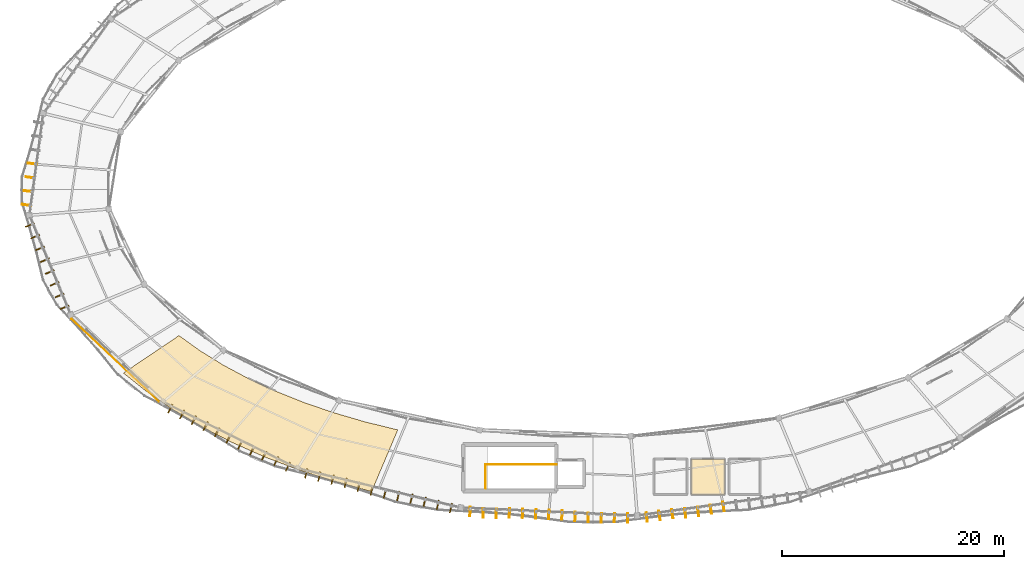
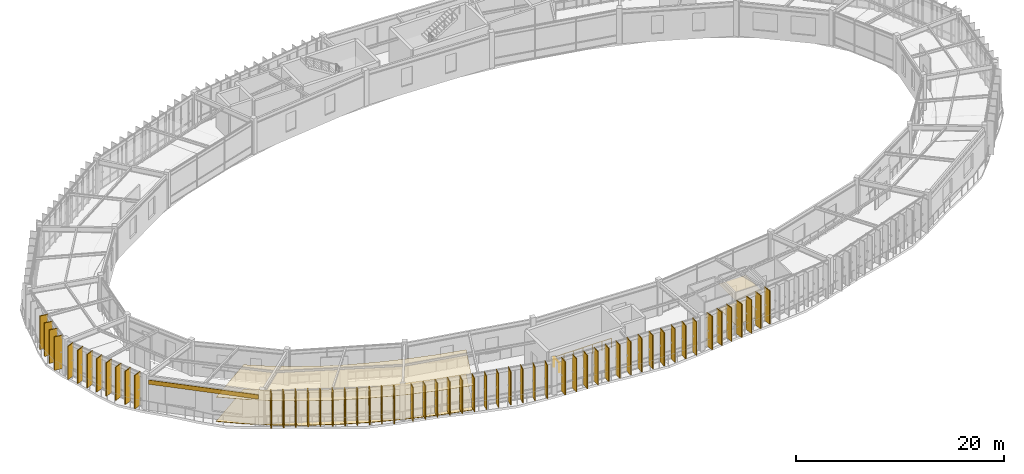
# One storey, part 75 of 78: 55 shading devices, 5 coverings, 2 railings.
"""IFC4 building model written with IfcOpenShell, lengths in metres."""

import ifcopenshell
import ifcopenshell.guid

model = None  # the IFC model being written
_history = None  # IfcOwnerHistory: only IFC2X3 demands one
_inside = {}  # id of a spatial element -> (the spatial element, [elements in it])
_under = {}  # id of a project, library or spatial element -> (it, [spatial elements below it])
_declared = {}  # id of a project -> (the project, [libraries it declares])
_typed = {}  # id of a type object -> (the type object, [elements of that type])
_made_of = {}  # id of a material, layer set ... -> (it, [elements and type objects made of it])


def new_model(schema):
    """Start an empty IFC model of exactly this schema.

    Asked for "IFC4X3", IfcOpenShell would pick the latest addendum, in which some entities
    have other attributes; the version numbers below select the first issue.
    IFC2X3 requires an IfcOwnerHistory on every rooted entity: one is made here for all.
    """
    global model, _history
    if schema == "IFC4X3":
        model = ifcopenshell.file(schema_version=(4, 3, 0, 0))
    else:
        model = ifcopenshell.file(schema=schema)
    _inside.clear()
    _under.clear()
    _declared.clear()
    _typed.clear()
    _made_of.clear()
    _history = None
    if model.schema == "IFC2X3":
        org = make("IfcOrganization", Name="unknown")
        user = make(
            "IfcPersonAndOrganization",
            ThePerson=make("IfcPerson", FamilyName="unknown"),
            TheOrganization=org,
        )
        app = make(
            "IfcApplication",
            ApplicationDeveloper=org,
            Version="unknown",
            ApplicationFullName="unknown",
            ApplicationIdentifier="unknown",
        )
        _history = make(
            "IfcOwnerHistory",
            OwningUser=user,
            OwningApplication=app,
            ChangeAction="ADDED",
            CreationDate=0,
        )
    return model


def make(cls, **values):
    """One entity of the class cls with the attributes given. An attribute that is None is left unset."""
    return model.create_entity(
        cls, **{name: value for name, value in values.items() if value is not None}
    )


def rooted(cls, **values):
    """An entity with a GlobalId (a new one), such as an element, a storey or a relation."""
    return make(cls, GlobalId=ifcopenshell.guid.new(), OwnerHistory=_history, **values)


def si_unit(unit_type, name, prefix=None):
    """IfcSIUnit, for example si_unit("LENGTHUNIT", "METRE", prefix="MILLI")."""
    return make("IfcSIUnit", UnitType=unit_type, Prefix=prefix, Name=name)


def assignment(units):
    """IfcUnitAssignment: the units of a project."""
    return None if units is None else make("IfcUnitAssignment", Units=units)


def point(xyz):
    """IfcCartesianPoint."""
    return None if xyz is None else make("IfcCartesianPoint", Coordinates=xyz)


def direction(xyz):
    """IfcDirection."""
    return None if xyz is None else make("IfcDirection", DirectionRatios=xyz)


def frame(location, z_axis=None, x_axis=None):
    """IfcAxis2Placement3D, a coordinate frame: its origin and axes. An axis left out is left unset."""
    return make(
        "IfcAxis2Placement3D",
        Location=point(location),
        Axis=direction(z_axis),
        RefDirection=direction(x_axis),
    )


def frame_2d(location, x_axis=None):
    """IfcAxis2Placement2D, a coordinate frame in the plane: its origin and x axis."""
    return make(
        "IfcAxis2Placement2D", Location=point(location), RefDirection=direction(x_axis)
    )


def origin():
    """The frame at (0, 0, 0) with its axes left unset."""
    return frame((0.0, 0.0, 0.0))


def origin_2d():
    """The frame at (0, 0) in the plane with its x axis left unset."""
    return frame_2d((0.0, 0.0))


def place(relative_to, where):
    """IfcLocalPlacement: puts the frame where relative to a parent placement (None: the world)."""
    return make(
        "IfcLocalPlacement", PlacementRelTo=relative_to, RelativePlacement=where
    )


def context(
    kind, dimensions, precision=None, world=None, true_north=None, identifier=None
):
    """IfcGeometricRepresentationContext, for example the 3D "Model" context."""
    return make(
        "IfcGeometricRepresentationContext",
        ContextIdentifier=identifier,
        ContextType=kind,
        CoordinateSpaceDimension=dimensions,
        Precision=precision,
        WorldCoordinateSystem=world,
        TrueNorth=true_north,
    )


def subcontext(parent, identifier, kind, view, scale=None):
    """IfcGeometricRepresentationSubContext, for example "Body" below "Model"."""
    return make(
        "IfcGeometricRepresentationSubContext",
        ContextIdentifier=identifier,
        ContextType=kind,
        ParentContext=parent,
        TargetScale=scale,
        TargetView=view,
    )


def project(units=None, contexts=None):
    """IfcProject with its units and contexts."""
    return rooted(
        "IfcProject",
        Name="project",
        RepresentationContexts=contexts,
        UnitsInContext=assignment(units),
    )


def spatial(cls, under=None, at=None, **own):
    """A site, building, storey or space (cls), placed at a placement, below another one or the project."""
    s = rooted(cls, ObjectPlacement=at, **own)
    if under is not None:
        _under.setdefault(under.id(), (under, []))[1].append(s)
    return s


def polyline(points):
    """IfcPolyline through the points."""
    return make("IfcPolyline", Points=[point(p) for p in points])


def profile(cls, at=None, kind="AREA", **sizes):
    """A parametric profile (cls). Its sizes go by their IFC names, for example OverallWidth=200.0."""
    return make(cls, ProfileType=kind, Position=at, **sizes)


def rectangle(**sizes):
    """IfcRectangleProfileDef."""
    return profile("IfcRectangleProfileDef", **sizes)


def circle(**sizes):
    """IfcCircleProfileDef."""
    return profile("IfcCircleProfileDef", **sizes)


def outline(outer, holes=None, kind="AREA"):
    """IfcArbitraryClosedProfileDef: a profile drawn as a closed curve; with holes, ...WithVoids."""
    if holes is None:
        return make("IfcArbitraryClosedProfileDef", ProfileType=kind, OuterCurve=outer)
    return make(
        "IfcArbitraryProfileDefWithVoids",
        ProfileType=kind,
        OuterCurve=outer,
        InnerCurves=holes,
    )


def extrude(swept, where, along, depth):
    """IfcExtrudedAreaSolid: the profile swept, set in the frame where, extruded along a direction by depth."""
    return make(
        "IfcExtrudedAreaSolid",
        SweptArea=swept,
        Position=where,
        ExtrudedDirection=direction(along),
        Depth=depth,
    )


def shape(context_of_items, identifier, shape_type, items):
    """IfcShapeRepresentation: the items that make up one representation, for example the "Body"."""
    return make(
        "IfcShapeRepresentation",
        ContextOfItems=context_of_items,
        RepresentationIdentifier=identifier,
        RepresentationType=shape_type,
        Items=items,
    )


def material(Name=None, Category=None):
    """IfcMaterial."""
    return make("IfcMaterial", Name=Name, Category=Category)


def layer(
    of_material, thickness, ventilated=None, Name=None, Category=None, Priority=None
):
    """IfcMaterialLayer: one layer of a wall or slab, of a material (None: an air gap)."""
    return make(
        "IfcMaterialLayer",
        Material=of_material,
        LayerThickness=thickness,
        IsVentilated=ventilated,
        Name=Name,
        Category=Category,
        Priority=Priority,
    )


def layer_set(layers, Name=None):
    """IfcMaterialLayerSet."""
    return make("IfcMaterialLayerSet", MaterialLayers=layers, LayerSetName=Name)


def made_of(thing, what):
    """Note that an element or type object is made of a material, layer set ...; save() writes the relation."""
    if what is not None:
        _made_of.setdefault(what.id(), (what, []))[1].append(thing)
    return thing


def type_object(cls, material=None, **own):
    """A type object (cls), such as IfcWallType, which elements share."""
    return made_of(rooted(cls, **own), material)


def element(
    cls,
    number,
    at=None,
    inside=None,
    cuts=None,
    type_object=None,
    material=None,
    context=None,
    identifier="Body",
    shape_type=None,
    held_by="IfcProductDefinitionShape",
    body=None,
    shapes=None,
    **own,
):
    """One element of the class cls, such as IfcWall. Its Tag is "e" and its number.

    at: its placement. inside: the storey or other place that contains it. cuts: it is an
    opening in that element (IfcRelVoidsElement). A single representation is given by context,
    identifier, shape_type and body (its items); several are given by shapes. held_by: the class
    of the entity that holds the representations. save() writes the other relations.
    """
    e = rooted(cls, Tag="e%d" % number, ObjectPlacement=at, **own)
    if body is not None:
        shapes = [shape(context, identifier, shape_type, body)]
    if shapes is not None:
        e.Representation = make(held_by, Representations=shapes)
    if inside is not None:
        _inside.setdefault(inside.id(), (inside, []))[1].append(e)
    if cuts is not None:
        rooted(
            "IfcRelVoidsElement", RelatingBuildingElement=cuts, RelatedOpeningElement=e
        )
    if type_object is not None:
        _typed.setdefault(type_object.id(), (type_object, []))[1].append(e)
    return made_of(e, material)


def aggregate(whole, parts):
    """IfcRelAggregates: a whole, such as a stair, and the parts it consists of."""
    return rooted("IfcRelAggregates", RelatingObject=whole, RelatedObjects=parts)


def save(model, path):
    """Write the relations noted so far, then the file.

    IfcRelAggregates (storeys below a building ...), IfcRelContainedInSpatialStructure (elements
    in a storey), IfcRelDefinesByType, IfcRelAssociatesMaterial and IfcRelDeclares: one each for
    every whole, place, type object, material and project.
    """
    for whole, parts in _under.values():
        aggregate(whole, parts)
    for where, things in _inside.values():
        rooted(
            "IfcRelContainedInSpatialStructure",
            RelatedElements=things,
            RelatingStructure=where,
        )
    for kind, things in _typed.values():
        rooted("IfcRelDefinesByType", RelatedObjects=things, RelatingType=kind)
    for what, things in _made_of.values():
        rooted("IfcRelAssociatesMaterial", RelatedObjects=things, RelatingMaterial=what)
    for by, libraries in _declared.values():
        rooted("IfcRelDeclares", RelatingContext=by, RelatedDefinitions=libraries)
    model.write(path)


model = new_model("IFC4")

# Units and contexts
model_context = context("Model", 3, precision=1e-05, world=origin(), true_north=direction((0.0, 1.0)))
body_context = subcontext(model_context, "Body", "Model", "MODEL_VIEW")
ifc_project = project(units=[si_unit("LENGTHUNIT", "METRE"), si_unit("AREAUNIT", "SQUARE_METRE"), si_unit("VOLUMEUNIT", "CUBIC_METRE"), si_unit("PLANEANGLEUNIT", "RADIAN"), si_unit("MASSUNIT", "GRAM", prefix="KILO"), si_unit("THERMODYNAMICTEMPERATUREUNIT", "KELVIN"), si_unit("POWERUNIT", "WATT")], contexts=[model_context])

# Site, building, storey
site_placement = place(None, origin())
site = spatial("IfcSite", under=ifc_project, at=site_placement, CompositionType="ELEMENT")
building_placement = place(site_placement, origin())
building = spatial("IfcBuilding", under=site, at=building_placement, Name="Darbajah Civic Hall", CompositionType="ELEMENT")
storey_placement = place(building_placement, frame((0.0, 0.0, 26.39990234375)))
storey = spatial("IfcBuildingStorey", under=building, at=storey_placement, Name="L06", CompositionType="ELEMENT", Elevation=26.39990234375)

# Coverings
ifc_material_1 = material(Name="Honed Qatari Limestone Terrazzo", Category="masonry")
ifc_layer_1 = layer(ifc_material_1, 0.030029296875, Name="Honed Qatari Limestone Terrazzo")
ifc_layer_set_1 = layer_set([ifc_layer_1], Name="Honed Qatari Limestone Terrazzo")
covering_type_1 = type_object("IfcCoveringType", Name="Honed Qatari Limestone Terrazzo Flooring", PredefinedType="FLOORING", material=ifc_layer_set_1)
covering_1_placement = place(storey_placement, origin())
element("IfcCovering", 1, at=covering_1_placement, inside=storey, type_object=covering_type_1, Name="L06 stone terrazzo flooring L06-V1-06", PredefinedType="FLOORING", context=body_context, shape_type="SweptSolid", body=[
    extrude(outline(polyline([(46.736083984375, 73.247802734375), (48.9013671875, 71.525634765625), (51.27490234375, 69.89794921875), (53.84423828125, 68.373291015625), (56.596435546875, 66.9599609375), (59.516845703125, 65.664794921875), (62.5908203125, 64.49462890625), (65.8017578125, 63.45556640625), (69.133544921875, 62.552978515625), (71.49755859375, 68.1220703125), (68.560302734375, 68.840087890625), (65.729248046875, 69.666748046875), (63.019287109375, 70.597900390625), (60.444580078125, 71.628173828125), (58.018310546875, 72.752685546875), (55.753173828125, 73.9658203125), (53.66064453125, 75.2607421875), (51.751953125, 76.631103515625), (46.736083984375, 73.247802734375)])), origin(), (0.0, 0.0, 1.0), 0.030029296875),
])
covering_2_placement = place(storey_placement, origin())
element("IfcCovering", 2, at=covering_2_placement, inside=storey, type_object=covering_type_1, Name="L06 stone terrazzo flooring L06-WCF", PredefinedType="FLOORING", context=body_context, shape_type="SweptSolid", body=[
    extrude(outline(polyline([(98.0, 62.300048828125), (101.0, 62.300048828125), (101.0, 65.5), (98.0, 65.5), (98.0, 62.300048828125)])), origin(), (0.0, 0.0, 1.0), 0.030029296875),
])

# Railings
ifc_material_2 = material(Name="Brushed Bronze and Laminated Safety Glass", Category="glass")
railing_type = type_object("IfcRailingType", Name="Interior Guard Balustrade", PredefinedType="BALUSTRADE", material=ifc_material_2)
railing_1_placement = place(storey_placement, frame((79.429931640625, 62.85009765625, 0.0)))
element("IfcRailing", 3, at=railing_1_placement, inside=storey, type_object=railing_type, Name="ST03 L06 stair-well edge guard", PredefinedType="BALUSTRADE", context=body_context, shape_type="SweptSolid", body=[
    extrude(circle(Radius=0.02392578125, at=origin_2d()), frame((0.0, 0.02734375, 1.09619140625), z_axis=(0.0, 1.0, 0.0), x_axis=(-1.0, 0.0, 0.0)), (0.0, 0.0, 1.0), 2.09521484375),
    extrude(circle(Radius=0.02099609375, at=origin_2d()), origin(), (0.0, 0.0, 1.0), 1.068115234375),
    extrude(circle(Radius=0.02099609375, at=origin_2d()), frame((0.0, 1.074951171875, 0.0)), (0.0, 0.0, 1.0), 1.068115234375),
    extrude(circle(Radius=0.02099609375, at=origin_2d()), frame((0.0, 2.14990234375, 0.0)), (0.0, 0.0, 1.0), 1.068115234375),
])
railing_2_placement = place(storey_placement, frame((79.47998046875, 65.0, 0.0)))
element("IfcRailing", 4, at=railing_2_placement, inside=storey, type_object=railing_type, Name="ST03 L06 top landing guard", PredefinedType="BALUSTRADE", context=body_context, shape_type="SweptSolid", body=[
    extrude(circle(Radius=0.02392578125, at=origin_2d()), frame((0.02734375, 0.0, 1.09619140625), z_axis=(1.0, 0.0, 0.0), x_axis=(0.0, 1.0, 0.0)), (0.0, 0.0, 1.0), 6.265380859375),
    extrude(circle(Radius=0.02099609375, at=origin_2d()), origin(), (0.0, 0.0, 1.0), 1.068115234375),
    extrude(circle(Radius=0.02099609375, at=origin_2d()), frame((1.05322265625, 0.0, 0.0)), (0.0, 0.0, 1.0), 1.068115234375),
    extrude(circle(Radius=0.02099609375, at=origin_2d()), frame((2.106689453125, 0.0, 0.0)), (0.0, 0.0, 1.0), 1.068115234375),
    extrude(circle(Radius=0.02099609375, at=origin_2d()), frame((3.16015625, 0.0, 0.0)), (0.0, 0.0, 1.0), 1.068115234375),
    extrude(circle(Radius=0.02099609375, at=origin_2d()), frame((4.21337890625, 0.0, 0.0)), (0.0, 0.0, 1.0), 1.068115234375),
    extrude(circle(Radius=0.02099609375, at=origin_2d()), frame((5.2666015625, 0.0, 0.0)), (0.0, 0.0, 1.0), 1.068115234375),
    extrude(circle(Radius=0.02099609375, at=origin_2d()), frame((6.320068359375, 0.0, 0.0)), (0.0, 0.0, 1.0), 1.068115234375),
])

# Coverings
ifc_material_3 = material(Name="Qatari Desert Limestone Ashlar", Category="masonry")
ifc_layer_2 = layer(ifc_material_3, 0.044921875, Name="Qatari Desert Limestone Ashlar")
ifc_layer_set_2 = layer_set([ifc_layer_2], Name="Qatari Desert Limestone Ashlar")
covering_type_2 = type_object("IfcCoveringType", Name="Limestone Facade Cladding", PredefinedType="CLADDING", material=ifc_layer_set_2)
covering_3_placement = place(storey_placement, frame((0.0, 0.0, 3.070068359375)))
element("IfcCovering", 5, at=covering_3_placement, inside=storey, type_object=covering_type_2, Name="L06 stone frieze cladding EW-V1O-L06-11", PredefinedType="CLADDING", context=body_context, shape_type="SweptSolid", body=[
    extrude(outline(polyline([(42.07958984375, 78.1298828125), (49.973388671875, 70.678955078125), (49.942626953125, 70.646240234375), (42.048828125, 78.09716796875), (42.07958984375, 78.1298828125)])), origin(), (0.0, 0.0, 1.0), 0.5),
])
ifc_material_4 = material(Name="Perforated Acoustic Gypsum Board")
ifc_layer_3 = layer(ifc_material_4, 0.02490234375, Name="Perforated Acoustic Gypsum Board")
ifc_layer_set_3 = layer_set([ifc_layer_3], Name="Perforated Acoustic Gypsum Board")
covering_type_3 = type_object("IfcCoveringType", Name="Perforated Acoustic Gypsum Ceiling", PredefinedType="CEILING", material=ifc_layer_set_3)
covering_4_placement = place(storey_placement, frame((0.0, 0.0, 2.85009765625)))
element("IfcCovering", 6, at=covering_4_placement, inside=storey, type_object=covering_type_3, Name="L06 acoustic suspended ceiling L06-V1-06", PredefinedType="CEILING", context=body_context, shape_type="SweptSolid", body=[
    extrude(outline(polyline([(46.736083984375, 73.247802734375), (48.9013671875, 71.525634765625), (51.27490234375, 69.89794921875), (53.84423828125, 68.373291015625), (56.596435546875, 66.9599609375), (59.516845703125, 65.664794921875), (62.5908203125, 64.49462890625), (65.8017578125, 63.45556640625), (69.133544921875, 62.552978515625), (71.49755859375, 68.1220703125), (68.560302734375, 68.840087890625), (65.729248046875, 69.666748046875), (63.019287109375, 70.597900390625), (60.444580078125, 71.628173828125), (58.018310546875, 72.752685546875), (55.753173828125, 73.9658203125), (53.66064453125, 75.2607421875), (51.751953125, 76.631103515625), (46.736083984375, 73.247802734375)])), origin(), (0.0, 0.0, 1.0), 0.02490234375),
])
covering_5_placement = place(storey_placement, frame((0.0, 0.0, 2.85009765625)))
element("IfcCovering", 7, at=covering_5_placement, inside=storey, type_object=covering_type_3, Name="L06 acoustic suspended ceiling L06-WCF", PredefinedType="CEILING", context=body_context, shape_type="SweptSolid", body=[
    extrude(outline(polyline([(98.0, 62.300048828125), (101.0, 62.300048828125), (101.0, 65.5), (98.0, 65.5), (98.0, 62.300048828125)])), origin(), (0.0, 0.0, 1.0), 0.02490234375),
])

# Shading devices
ifc_material_5 = material(Name="Bronze Anodised Aluminium and Teak Composite", Category="aluminium")
shading_device_type = type_object("IfcShadingDeviceType", Name="Vertical Bronze Timber Shading Fin", PredefinedType="USERDEFINED", material=ifc_material_5)
for number, where, z_axis, x_axis, name in (
    (8, (38.54248046875, 92.13232421875, 0.000244140625), (0.0, 0.0, 1.0), (-0.990865897387, 0.134850930274, 0.0), "L06 vertical shading fin VF-09-4"),
    (9, (38.33251953125, 90.894775390625, 0.000244140625), (0.0, 0.0, 1.0), (-0.990865897387, 0.134850930274, 0.0), "L06 vertical shading fin VF-09-5"),
    (10, (38.152587890625, 89.6533203125, 0.000244140625), (0.0, 0.0, 1.0), (-0.990865897387, 0.134850930274, 0.0), "L06 vertical shading fin VF-09-6"),
    (11, (38.004150390625, 88.4072265625, 0.000244140625), (0.0, 0.0, 1.0), (-0.990865897387, 0.134850930274, 0.0), "L06 vertical shading fin VF-09-7"),
    (12, (38.290771484375, 86.603271484375, 0.000244140625), (0.0, 0.0, 1.0), (-0.923612143954, -0.383328328644, 0.0), "L06 vertical shading fin VF-10-1"),
    (13, (38.771240234375, 85.5556640625, 0.000244140625), (0.0, 0.0, 1.0), (-0.923612143954, -0.383328328644, 0.0), "L06 vertical shading fin VF-10-2"),
    (14, (39.212646484375, 84.4921875, 0.000244140625), (0.0, 0.0, 1.0), (-0.923612143954, -0.383328328644, 0.0), "L06 vertical shading fin VF-10-3"),
    (15, (39.654296875, 83.428466796875, 0.000244140625), (0.0, 0.0, 1.0), (-0.923612143954, -0.383328328644, 0.0), "L06 vertical shading fin VF-10-4"),
    (16, (40.095703125, 82.36474609375, 0.000244140625), (0.0, 0.0, 1.0), (-0.923612143954, -0.383328328644, 0.0), "L06 vertical shading fin VF-10-5"),
    (17, (40.537109375, 81.301025390625, 0.000244140625), (0.0, 0.0, 1.0), (-0.923612143954, -0.383328328644, 0.0), "L06 vertical shading fin VF-10-6"),
    (18, (40.978515625, 80.2373046875, 0.000244140625), (0.0, 0.0, 1.0), (-0.923612143954, -0.383328328644, 0.0), "L06 vertical shading fin VF-10-7"),
    (19, (41.419921875, 79.173583984375, 0.000244140625), (0.0, 0.0, 1.0), (-0.923612143954, -0.383328328644, 0.0), "L06 vertical shading fin VF-10-8"),
    (20, (50.958740234375, 70.02978515625, 0.000244140625), (0.0, 0.0, 1.0), (-0.442914717678, -0.89656374724, 0.0), "L06 vertical shading fin VF-12-1"),
    (21, (52.020751953125, 69.505126953125, 0.000244140625), (0.0, 0.0, 1.0), (-0.442914717678, -0.89656374724, 0.0), "L06 vertical shading fin VF-12-2"),
    (22, (53.082763671875, 68.98046875, 0.000244140625), (0.0, 0.0, 1.0), (-0.442914717678, -0.89656374724, 0.0), "L06 vertical shading fin VF-12-3"),
    (23, (54.144775390625, 68.455810546875, 0.000244140625), (0.0, 0.0, 1.0), (-0.442914717678, -0.89656374724, 0.0), "L06 vertical shading fin VF-12-4"),
    (24, (55.185546875, 67.888427734375, 0.000244140625), (0.0, 0.0, 1.0), (-0.442914717678, -0.89656374724, 0.0), "L06 vertical shading fin VF-12-5"),
    (25, (56.222900390625, 67.314453125, 0.000244140625), (0.0, 0.0, 1.0), (-0.442914717678, -0.89656374724, 0.0), "L06 vertical shading fin VF-12-6"),
    (26, (57.272705078125, 66.76513671875, 0.000244140625), (0.0, 0.0, 1.0), (-0.442914717678, -0.89656374724, 0.0), "L06 vertical shading fin VF-12-7"),
    (27, (58.33935546875, 66.249755859375, 0.000244140625), (0.0, 0.0, 1.0), (-0.442914717678, -0.89656374724, 0.0), "L06 vertical shading fin VF-12-8"),
    (28, (59.422607421875, 65.768310546875, 0.000244140625), (0.0, 0.0, 1.0), (-0.442914717678, -0.89656374724, 0.0), "L06 vertical shading fin VF-12-9"),
    (29, (60.516357421875, 65.30810546875, 0.000244140625), (0.0, 0.0, 1.0), (-0.442914717678, -0.89656374724, 0.0), "L06 vertical shading fin VF-12-10"),
    (30, (61.578369140625, 64.783447265625, 0.000244140625), (0.0, 0.0, 1.0), (-0.442914717678, -0.89656374724, 0.0), "L06 vertical shading fin VF-12-11"),
    (31, (63.229736328125, 64.1884765625, 0.000244140625), (0.0, 0.0, 1.0), (-0.232936200179, -0.972492018808, 0.0), "L06 vertical shading fin VF-13-1"),
    (32, (64.41748046875, 63.90380859375, 0.000244140625), (0.0, 0.0, 1.0), (-0.232936200179, -0.972492018808, 0.0), "L06 vertical shading fin VF-13-2"),
    (33, (65.60498046875, 63.619384765625, 0.000244140625), (0.0, 0.0, 1.0), (-0.232936200179, -0.972492018808, 0.0), "L06 vertical shading fin VF-13-3"),
    (34, (66.7919921875, 63.33154296875, 0.000244140625), (0.0, 0.0, 1.0), (-0.232936200179, -0.972492018808, 0.0), "L06 vertical shading fin VF-13-4"),
    (35, (67.960693359375, 62.968994140625, 0.000244140625), (0.0, 0.0, 1.0), (-0.232936200179, -0.972492018808, 0.0), "L06 vertical shading fin VF-13-5"),
    (36, (69.137939453125, 62.640380859375, 0.000244140625), (0.0, 0.0, 1.0), (-0.232936200179, -0.972492018808, 0.0), "L06 vertical shading fin VF-13-6"),
    (37, (70.32861328125, 62.368408203125, 0.000244140625), (0.0, 0.0, 1.0), (-0.232936200179, -0.972492018808, 0.0), "L06 vertical shading fin VF-13-7"),
    (38, (71.5322265625, 62.1513671875, 0.000244140625), (0.0, 0.0, 1.0), (-0.232936200179, -0.972492018808, 0.0), "L06 vertical shading fin VF-13-8"),
    (39, (72.730712890625, 61.912109375, 0.000244140625), (0.0, 0.0, 1.0), (-0.232936200179, -0.972492018808, 0.0), "L06 vertical shading fin VF-13-9"),
    (40, (73.91845703125, 61.62744140625, 0.000244140625), (0.0, 0.0, 1.0), (-0.232936200179, -0.972492018808, 0.0), "L06 vertical shading fin VF-13-10"),
    (41, (75.10595703125, 61.343017578125, 0.000244140625), (0.0, 0.0, 1.0), (-0.232936200179, -0.972492018808, 0.0), "L06 vertical shading fin VF-13-11"),
    (42, (76.293701171875, 61.058349609375, 0.000244140625), (0.0, 0.0, 1.0), (-0.232936200179, -0.972492018808, 0.0), "L06 vertical shading fin VF-13-12"),
    (43, (78.023681640625, 60.751220703125, 0.000244140625), (0.0, 0.0, 1.0), (-0.045537340693, -0.998962637241, 0.0), "L06 vertical shading fin VF-14-1"),
    (44, (79.205810546875, 60.6337890625, 0.000244140625), (0.0, 0.0, 1.0), (-0.045537340693, -0.998962637241, 0.0), "L06 vertical shading fin VF-14-2"),
    (45, (80.390869140625, 60.5849609375, 0.000244140625), (0.0, 0.0, 1.0), (-0.045537340693, -0.998962637241, 0.0), "L06 vertical shading fin VF-14-3"),
    (46, (81.5791015625, 60.60546875, 0.000244140625), (0.0, 0.0, 1.0), (-0.045537340693, -0.998962637241, 0.0), "L06 vertical shading fin VF-14-4"),
    (47, (82.76611328125, 60.59619140625, 0.000244140625), (0.0, 0.0, 1.0), (-0.045537340693, -0.998962637241, 0.0), "L06 vertical shading fin VF-14-5"),
    (48, (83.950927734375, 60.542236328125, 0.000244140625), (0.0, 0.0, 1.0), (-0.045537340693, -0.998962637241, 0.0), "L06 vertical shading fin VF-14-6"),
    (49, (85.1357421875, 60.48828125, 0.000244140625), (0.0, 0.0, 1.0), (-0.045537340693, -0.998962637241, 0.0), "L06 vertical shading fin VF-14-7"),
    (50, (86.32080078125, 60.434326171875, 0.000244140625), (0.0, 0.0, 1.0), (-0.045537340693, -0.998962637241, 0.0), "L06 vertical shading fin VF-14-8"),
    (51, (87.5029296875, 60.32177734375, 0.000244140625), (0.0, 0.0, 1.0), (-0.045537340693, -0.998962637241, 0.0), "L06 vertical shading fin VF-14-9"),
    (52, (88.684814453125, 60.2001953125, 0.000244140625), (0.0, 0.0, 1.0), (-0.045537340693, -0.998962637241, 0.0), "L06 vertical shading fin VF-14-10"),
    (53, (89.870361328125, 60.160400390625, 0.000244140625), (0.0, 0.0, 1.0), (-0.045537340693, -0.998962637241, 0.0), "L06 vertical shading fin VF-14-11"),
    (54, (91.05908203125, 60.19287109375, 0.000244140625), (0.0, 0.0, 1.0), (-0.045537340693, -0.998962637241, 0.0), "L06 vertical shading fin VF-14-12"),
    (55, (92.2451171875, 60.16455078125, 0.000244140625), (0.0, 0.0, 1.0), (-0.045537340693, -0.998962637241, 0.0), "L06 vertical shading fin VF-14-13"),
    (56, (93.965087890625, 60.243408203125, 0.000244140625), (0.0, 0.0, 1.0), (0.137617420457, -0.990485459553, 0.0), "L06 vertical shading fin VF-15-1"),
    (57, (95.1201171875, 60.40380859375, 0.000244140625), (0.0, 0.0, 1.0), (0.137617420457, -0.990485459553, 0.0), "L06 vertical shading fin VF-15-2"),
    (58, (96.276611328125, 60.552978515625, 0.000244140625), (0.0, 0.0, 1.0), (0.137617420457, -0.990485459553, 0.0), "L06 vertical shading fin VF-15-3"),
    (59, (97.444091796875, 60.624267578125, 0.000244140625), (0.0, 0.0, 1.0), (0.137617420457, -0.990485459553, 0.0), "L06 vertical shading fin VF-15-4"),
    (60, (98.603515625, 60.755126953125, 0.000244140625), (0.0, 0.0, 1.0), (0.137617420457, -0.990485459553, 0.0), "L06 vertical shading fin VF-15-5"),
    (61, (99.752197265625, 60.960205078125, 0.000244140625), (0.0, 0.0, 1.0), (0.137617420457, -0.990485459553, 0.0), "L06 vertical shading fin VF-15-6"),
    (62, (100.8955078125, 61.205810546875, 0.000244140625), (0.0, 0.0, 1.0), (0.137617420457, -0.990485459553, 0.0), "L06 vertical shading fin VF-15-7"),
):
    element("IfcShadingDevice", number, at=place(storey_placement, frame(where, z_axis=z_axis, x_axis=x_axis)), inside=storey, type_object=shading_device_type, Name=name, ObjectType="VERTICAL FIN", PredefinedType="USERDEFINED", context=body_context, shape_type="SweptSolid", body=[
        extrude(rectangle(XDim=0.85009765625, YDim=0.090087890625, at=origin_2d()), origin(), (0.0, 0.0, 1.0), 3.919921875),
    ])

save(model, "model.ifc")
